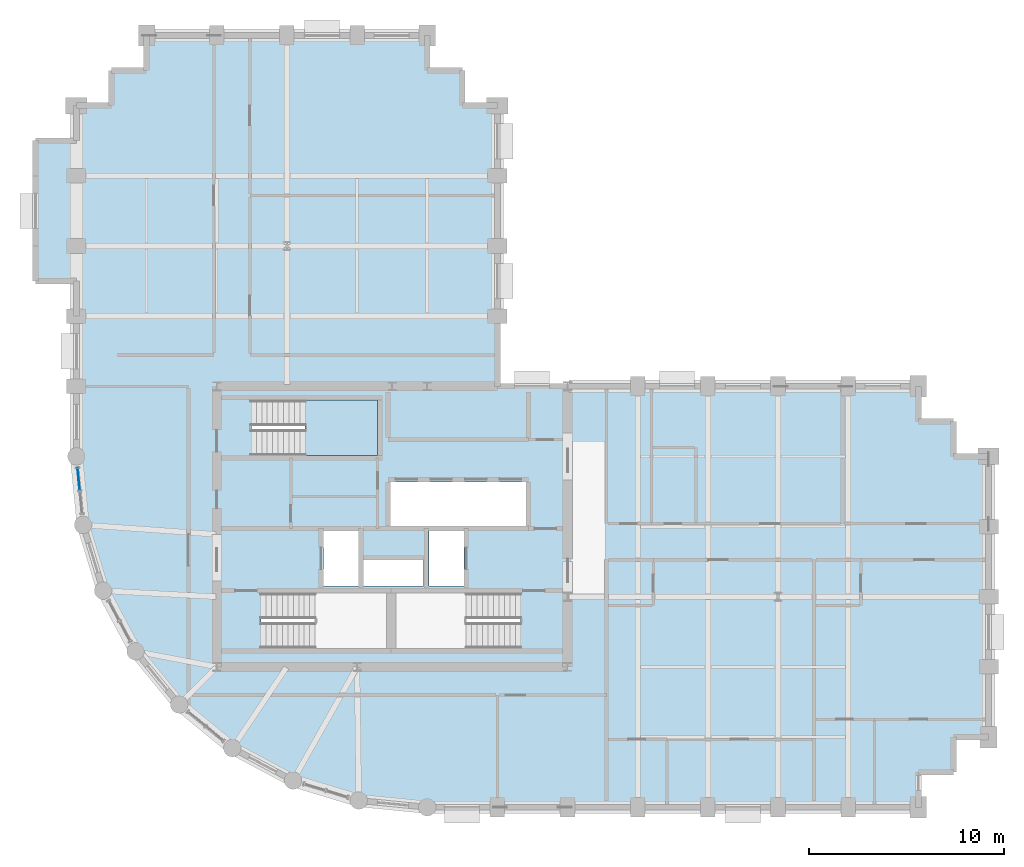
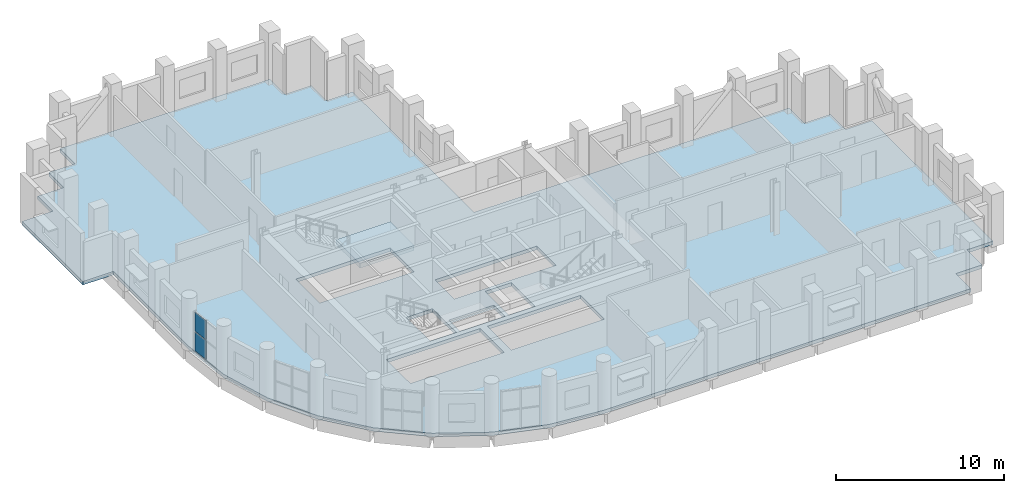
# One storey, part 7 of 14: 2 plates, 2 slabs, 2 elements without a shape of their own.
"""IFC4 building model written with IfcOpenShell, lengths in metres."""

from ifc_helpers import new_model, si_unit, direction, frame, origin, origin_2d, place, context, subcontext, project, spatial, polyline, rectangle, outline, extrude, material, layer, layer_set, type_object, element, aggregate, save


model = new_model("IFC4")

# Units and contexts
model_context = context("Model", 3, precision=1e-05, world=origin(), true_north=direction((0.0, 1.0)))
body_context = subcontext(model_context, "Body", "Model", "MODEL_VIEW")
ifc_project = project(units=[si_unit("LENGTHUNIT", "METRE"), si_unit("AREAUNIT", "SQUARE_METRE"), si_unit("VOLUMEUNIT", "CUBIC_METRE"), si_unit("PLANEANGLEUNIT", "RADIAN"), si_unit("MASSUNIT", "GRAM", prefix="KILO")], contexts=[model_context])

# Site, building, storey
site_placement = place(None, origin())
site = spatial("IfcSite", under=ifc_project, at=site_placement, CompositionType="ELEMENT")
building_placement = place(site_placement, origin())
building = spatial("IfcBuilding", under=site, at=building_placement, Name="Solnavia Interchange Tower", CompositionType="ELEMENT")
storey_placement = place(building_placement, frame((0.0, 0.0, 158.0)))
storey = spatial("IfcBuildingStorey", under=building, at=storey_placement, Name="L39", CompositionType="ELEMENT", Elevation=158.0)

# Curtain wall, plates
ifc_material_1 = material(Name="Aluminium Alloy 6063-T6", Category="aluminium")
ifc_layer_1 = layer(ifc_material_1, 0.239990234375)
ifc_layer_set_1 = layer_set([ifc_layer_1], Name="Aluminium Alloy 6063-T6")
curtain_wall_type = type_object("IfcCurtainWallType", Name="CurtainWall-Drum-CTW2", PredefinedType="NOTDEFINED", material=ifc_layer_set_1)
curtain_wall_placement = place(storey_placement, origin())
curtain_wall = element("IfcCurtainWall", 1, at=curtain_wall_placement, inside=storey, type_object=curtain_wall_type, Name="CTW-L39-D51 CTW-2 curtain wall", PredefinedType="NOTDEFINED")
ifc_material_2 = material(Name="Double-Glazed Low-E IGU Glass", Category="glass")
ifc_layer_2 = layer(ifc_material_2, 0.031982421875)
ifc_layer_set_2 = layer_set([ifc_layer_2], Name="Double-Glazed Low-E IGU Glass")
plate_type = type_object("IfcPlateType", Name="CW-Panel-Solar-32", PredefinedType="CURTAIN_PANEL", material=ifc_layer_set_2)
plate_1_placement = place(storey_placement, frame((7.314697265625, 20.435791015625, 0.06494140625), z_axis=(0.0, 0.0, 1.0), x_axis=(0.098043088306, -0.995182170678, 0.0)))
plate_1 = element("IfcPlate", 2, at=plate_1_placement, type_object=plate_type, Name="CTW-2 panel 1.1", PredefinedType="CURTAIN_PANEL", context=body_context, shape_type="SweptSolid", body=[
    extrude(rectangle(XDim=1.114501953125, YDim=0.031982421875, at=origin_2d()), origin(), (0.0, 0.0, 1.0), 1.367431640625),
])
plate_2_placement = place(storey_placement, frame((7.314697265625, 20.435791015625, 1.49755859375), z_axis=(0.0, 0.0, 1.0), x_axis=(0.098043088306, -0.995182170678, 0.0)))
plate_2 = element("IfcPlate", 3, at=plate_2_placement, type_object=plate_type, Name="CTW-2 panel 1.2", PredefinedType="CURTAIN_PANEL", context=body_context, shape_type="SweptSolid", body=[
    extrude(rectangle(XDim=1.114501953125, YDim=0.031982421875, at=origin_2d()), origin(), (0.0, 0.0, 1.0), 1.367431640625),
])
aggregate(curtain_wall, [plate_1, plate_2])

# Stair, slab
ifc_material_3 = material(Name="Concrete C40/50", Category="concrete")
stair_type = type_object("IfcStairType", Name="Stair-Dogleg-RC", PredefinedType="HALF_TURN_STAIR", material=ifc_material_3)
stair_placement = place(storey_placement, origin())
stair = element("IfcStair", 4, at=stair_placement, inside=storey, type_object=stair_type, Name="L39 Core exit stair 3", PredefinedType="HALF_TURN_STAIR")
ifc_layer_3 = layer(ifc_material_3, 0.35009765625)
ifc_layer_set_3 = layer_set([ifc_layer_3], Name="Concrete C40/50")
slab_type_1 = type_object("IfcSlabType", Name="Slab-StairLanding-350", PredefinedType="LANDING", material=ifc_layer_set_3)
slab_1_placement = place(storey_placement, frame((0.0, 0.0, 1.550048828125)))
slab_1 = element("IfcSlab", 5, at=slab_1_placement, type_object=slab_type_1, Name="ST-3 landing 1", PredefinedType="LANDING", context=body_context, shape_type="SweptSolid", body=[
    extrude(outline(polyline([(18.927978515625, 21.64990234375), (22.64990234375, 21.64990234375), (22.64990234375, 24.489990234375), (18.927978515625, 24.489990234375), (18.927978515625, 21.64990234375)])), origin(), (0.0, 0.0, 1.0), 0.349853515625),
])
aggregate(stair, [slab_1])

# Slab
ifc_layer_4 = layer(ifc_material_3, 0.25)
ifc_layer_set_4 = layer_set([ifc_layer_4], Name="Concrete C40/50")
slab_type_2 = type_object("IfcSlabType", Name="Slab-Tower-250", PredefinedType="FLOOR", material=ifc_layer_set_4)
slab_2_placement = place(storey_placement, frame((0.0, 0.0, -0.25)))
element("IfcSlab", 6, at=slab_2_placement, inside=storey, type_object=slab_type_2, Name="SLB-L39-01 Structural floor slab", PredefinedType="FLOOR", context=body_context, shape_type="SweptSolid", body=[
    extrude(outline(polyline([(25.199951171875, 3.60009765625), (50.39990234375, 3.60009765625), (50.39990234375, 5.39990234375), (52.199951171875, 5.39990234375), (52.199951171875, 7.199951171875), (54.0, 7.199951171875), (54.0, 21.60009765625), (52.199951171875, 21.60009765625), (52.199951171875, 23.39990234375), (50.39990234375, 23.39990234375), (50.39990234375, 25.199951171875), (28.800048828125, 25.199951171875), (28.800048828125, 39.60009765625), (27.0, 39.60009765625), (27.0, 41.39990234375), (25.199951171875, 41.39990234375), (25.199951171875, 43.199951171875), (10.800048828125, 43.199951171875), (10.800048828125, 41.39990234375), (9.0, 41.39990234375), (9.0, 39.60009765625), (7.199951171875, 39.60009765625), (7.199951171875, 37.800048828125), (5.10009765625, 37.800048828125), (5.10009765625, 30.60009765625), (7.199951171875, 30.60009765625), (7.199951171875, 21.60009765625), (7.5458984375, 18.087890625), (8.570068359375, 14.7119140625), (10.23388671875, 11.60009765625), (12.471923828125, 8.8720703125), (15.199951171875, 6.634033203125), (18.31201171875, 4.969970703125), (21.68798828125, 3.946044921875), (25.199951171875, 3.60009765625)]), holes=[polyline([(16.675048828125, 11.75), (23.10009765625, 11.75), (23.10009765625, 14.590087890625), (16.675048828125, 14.590087890625), (16.675048828125, 11.75)]), polyline([(23.60009765625, 11.75), (29.97509765625, 11.75), (29.97509765625, 14.590087890625), (23.60009765625, 14.590087890625), (23.60009765625, 11.75)]), polyline([(16.175048828125, 21.64990234375), (22.64990234375, 21.64990234375), (22.64990234375, 24.489990234375), (16.175048828125, 24.489990234375), (16.175048828125, 21.64990234375)]), polyline([(19.8798828125, 14.9599609375), (21.679931640625, 14.9599609375), (21.679931640625, 17.780029296875), (19.8798828125, 17.780029296875), (19.8798828125, 14.9599609375)]), polyline([(25.280029296875, 14.9599609375), (27.080078125, 14.9599609375), (27.080078125, 17.780029296875), (25.280029296875, 17.780029296875), (25.280029296875, 14.9599609375)]), polyline([(21.919921875, 14.9599609375), (25.02001953125, 14.9599609375), (25.02001953125, 16.280029296875), (21.919921875, 16.280029296875), (21.919921875, 14.9599609375)]), polyline([(23.300048828125, 18.02001953125), (30.280029296875, 18.02001953125), (30.280029296875, 20.300048828125), (23.300048828125, 20.300048828125), (23.300048828125, 18.02001953125)])]), origin(), (0.0, 0.0, 1.0), 0.25),
])

save(model, "model.ifc")
